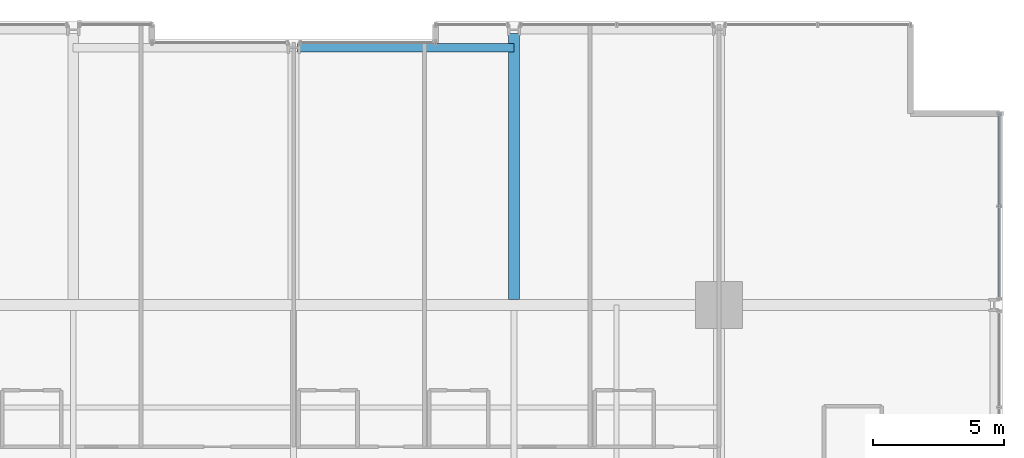
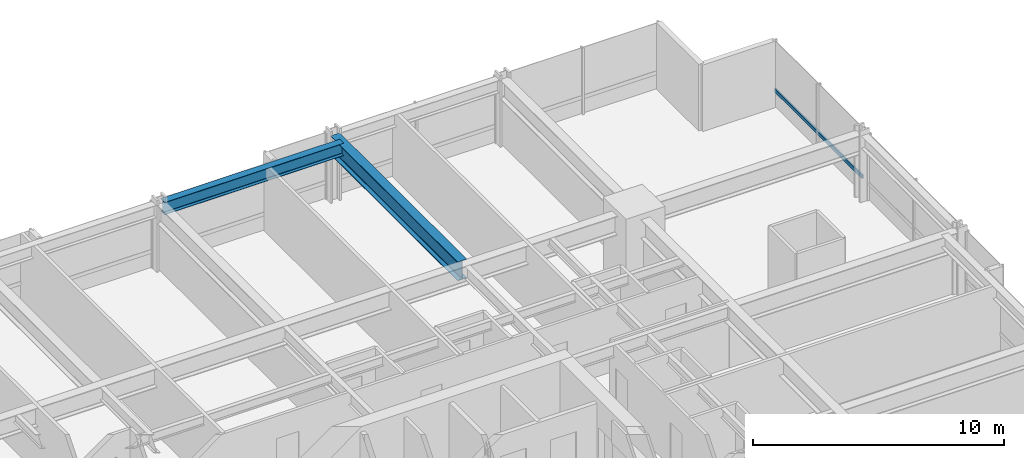
# One storey, part 26 of 39: 2 beams, 1 member, 1 element without a shape of its own.
"""IFC4 building model written with IfcOpenShell, lengths in metres."""

from ifc_helpers import new_model, si_unit, direction, frame, origin, origin_2d, place, context, subcontext, project, spatial, hollow_rectangle, i_section, extrude, material, layer, layer_set, material_profile, profile_set, type_object, element, aggregate, save


model = new_model("IFC4")

# Units and contexts
model_context = context("Model", 3, precision=1e-05, world=origin(), true_north=direction((0.0, 1.0)))
body_context = subcontext(model_context, "Body", "Model", "MODEL_VIEW")
ifc_project = project(units=[si_unit("LENGTHUNIT", "METRE"), si_unit("AREAUNIT", "SQUARE_METRE"), si_unit("VOLUMEUNIT", "CUBIC_METRE"), si_unit("PLANEANGLEUNIT", "RADIAN"), si_unit("MASSUNIT", "GRAM", prefix="KILO")], contexts=[model_context])

# Site, building, storey
site_placement = place(None, origin())
site = spatial("IfcSite", under=ifc_project, at=site_placement, CompositionType="ELEMENT")
building_placement = place(site_placement, origin())
building = spatial("IfcBuilding", under=site, at=building_placement, Name="Drelvath Grand Hotel", CompositionType="ELEMENT")
storey_placement = place(building_placement, frame((0.0, 0.0, 40.199951171875)))
storey = spatial("IfcBuildingStorey", under=building, at=storey_placement, Name="L08", CompositionType="ELEMENT", Elevation=40.199951171875)

# Curtain wall, member
ifc_material_1 = material(Name="Warm Bronze Anodised Aluminium Frame", Category="aluminium")
ifc_layer = layer(ifc_material_1, 0.199951171875)
ifc_layer_set = layer_set([ifc_layer], Name="Warm Bronze Anodised Aluminium Frame")
curtain_wall_type = type_object("IfcCurtainWallType", Name="Stick Curtain Wall CW-02 Warm Bronze Low-Rise", PredefinedType="NOTDEFINED", material=ifc_layer_set)
curtain_wall_placement = place(storey_placement, origin())
curtain_wall = element("IfcCurtainWall", 1, at=curtain_wall_placement, inside=storey, type_object=curtain_wall_type, Name="L08 CW-02 Curtain Wall CW02-L08-EN3", PredefinedType="NOTDEFINED")
ifc_material_profile_1 = material_profile(ifc_material_1, hollow_rectangle(XDim=0.074951171875, YDim=0.179931640625, WallThickness=0.0048828125, at=origin_2d()), Name="HSS180X75X5")
ifc_profile_set_1 = profile_set([ifc_material_profile_1], Name="Warm Bronze Anodised Aluminium Frame")
member_type = type_object("IfcMemberType", Name="Curtain Wall Horizontal Transom CW-02 HSS180X75X5", PredefinedType="USERDEFINED", material=ifc_profile_set_1)
member_placement = place(storey_placement, frame((26.8798828125, 50.4599609375, 0.81005859375), z_axis=(0.0, -1.0, 0.0), x_axis=(1.0, 0.0, 0.0)))
member = element("IfcMember", 2, at=member_placement, type_object=member_type, Name="CW02-L08-EN3 Sill Transom", ObjectType="TRANSOM", PredefinedType="USERDEFINED", context=body_context, shape_type="SweptSolid", body=[
    extrude(hollow_rectangle(XDim=0.074951171875, YDim=0.179931640625, WallThickness=0.0048828125, at=origin_2d()), origin(), (0.0, 0.0, 1.0), 6.97900390625),
])
aggregate(curtain_wall, [member])

# Beams
ifc_material_2 = material(Name="Steel ASTM A992 Gr 50", Category="steel")
ifc_material_profile_2 = material_profile(ifc_material_2, i_section(OverallWidth=0.323974609375, OverallDepth=0.611083984375, WebThickness=0.0126953125, FlangeThickness=0.01904296875, FilletRadius=0.02197265625, at=origin_2d()), Name="W24X104")
ifc_profile_set_2 = profile_set([ifc_material_profile_2], Name="Steel ASTM A992 Gr 50")
beam_type_1 = type_object("IfcBeamType", Name="Perimeter Spandrel Beam W24X104", PredefinedType="SPANDREL", material=ifc_profile_set_2)
beam_1_placement = place(storey_placement, frame((0.139892578125, 53.0, 2.9345703125), z_axis=(1.0, 0.0, 0.0), x_axis=(0.0, 1.0, 0.0)))
element("IfcBeam", 3, at=beam_1_placement, inside=storey, type_object=beam_type_1, Name="L08 Spandrel North Mid E", PredefinedType="SPANDREL", context=body_context, shape_type="SweptSolid", body=[
    extrude(i_section(OverallWidth=0.323974609375, OverallDepth=0.611083984375, WebThickness=0.0126953125, FlangeThickness=0.01904296875, FilletRadius=0.02197265625, at=origin_2d()), origin(), (0.0, 0.0, 1.0), 8.260009765625),
])
ifc_material_profile_3 = material_profile(ifc_material_2, i_section(OverallWidth=0.418212890625, OverallDepth=0.926513671875, WebThickness=0.019287109375, FlangeThickness=0.031982421875, FilletRadius=0.028076171875, at=origin_2d()), Name="W36X231")
ifc_profile_set_3 = profile_set([ifc_material_profile_3], Name="Steel ASTM A992 Gr 50")
beam_type_2 = type_object("IfcBeamType", Name="Primary Floor Girder W36X231", PredefinedType="BEAM", material=ifc_profile_set_3)
beam_2_placement = place(storey_placement, frame((8.39990234375, 43.4091796875, 2.77685546875), z_axis=(0.0, 1.0, 0.0), x_axis=(-1.0, 0.0, 0.0)))
element("IfcBeam", 4, at=beam_2_placement, inside=storey, type_object=beam_type_2, Name="L08 North Wing Girder 6", PredefinedType="BEAM", context=body_context, shape_type="SweptSolid", body=[
    extrude(i_section(OverallWidth=0.418212890625, OverallDepth=0.926513671875, WebThickness=0.019287109375, FlangeThickness=0.031982421875, FilletRadius=0.028076171875, at=origin_2d()), origin(), (0.0, 0.0, 1.0), 10.130859375),
])

save(model, "model.ifc")
